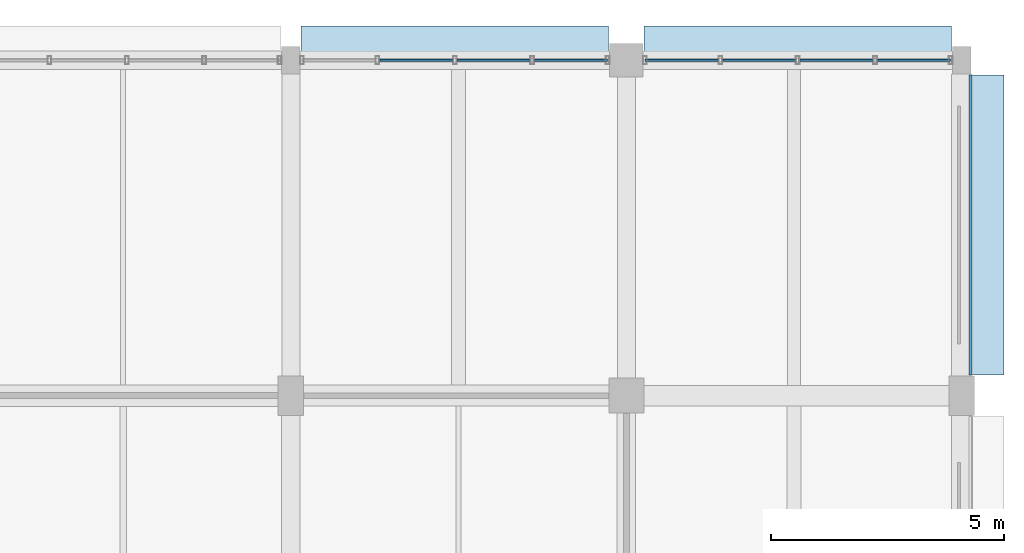
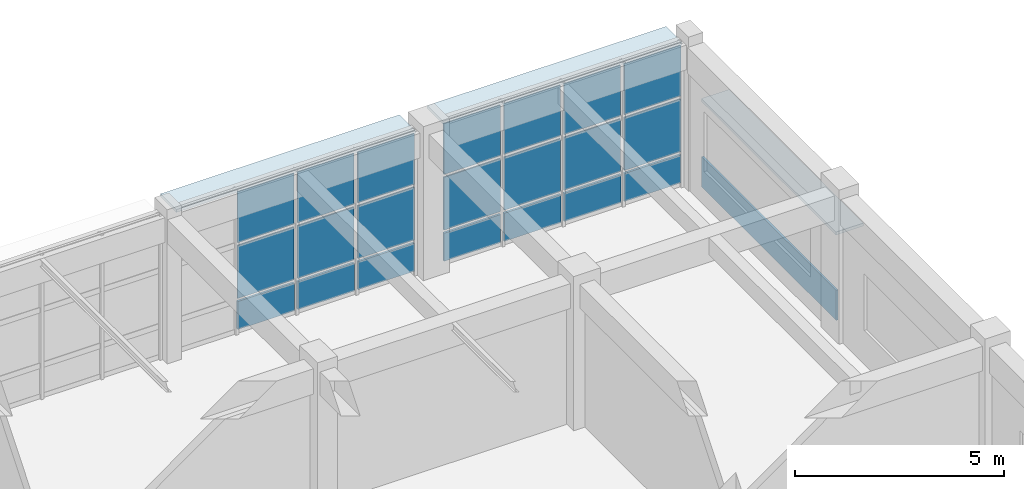
# One storey, part 146 of 171: 25 plates, 2 elements without a shape of their own.
"""IFC4 building model written with IfcOpenShell, lengths in metres."""

from ifc_helpers import new_model, si_unit, direction, frame, origin, origin_2d, place, context, subcontext, project, spatial, rectangle, extrude, material, layer, layer_set, type_object, element, aggregate, save


model = new_model("IFC4")

# Units and contexts
model_context = context("Model", 3, precision=1e-05, world=origin(), true_north=direction((0.0, 1.0)))
body_context = subcontext(model_context, "Body", "Model", "MODEL_VIEW")
ifc_project = project(units=[si_unit("LENGTHUNIT", "METRE"), si_unit("AREAUNIT", "SQUARE_METRE"), si_unit("VOLUMEUNIT", "CUBIC_METRE"), si_unit("PLANEANGLEUNIT", "RADIAN"), si_unit("MASSUNIT", "GRAM", prefix="KILO")], contexts=[model_context])

# Site, building, storey
site_placement = place(None, origin())
site = spatial("IfcSite", under=ifc_project, at=site_placement, CompositionType="ELEMENT")
building_placement = place(site_placement, origin())
building = spatial("IfcBuilding", under=site, at=building_placement, Name="Thalmaran Polytechnic", CompositionType="ELEMENT")
storey_placement = place(building_placement, frame((0.0, 0.0, 5.39990234375)))
storey = spatial("IfcBuildingStorey", under=building, at=storey_placement, Name="L01", CompositionType="ELEMENT", Elevation=5.39990234375)

# Plates
ifc_material_1 = material(Name="Anodised aluminium spandrel band", Category="aluminium")
ifc_layer_1 = layer(ifc_material_1, 0.054931640625, Name="Anodised aluminium spandrel band")
ifc_layer_set_1 = layer_set([ifc_layer_1], Name="Anodised aluminium spandrel band")
plate_type_1 = type_object("IfcPlateType", Name="PT-BD01", PredefinedType="SHEET", material=ifc_layer_set_1)
plate_1_placement = place(storey_placement, frame((172.97998046875, 118.862548828125, 0.020263671875), z_axis=(0.0, 0.0, 1.0), x_axis=(0.0, -1.0, 0.0)))
element("IfcPlate", 1, at=plate_1_placement, inside=storey, type_object=plate_type_1, Name="Streamline Horizontal Spandrel Band L01-052", PredefinedType="SHEET", context=body_context, shape_type="SweptSolid", body=[
    extrude(rectangle(XDim=6.43505859375, YDim=0.054931640625, at=origin_2d()), origin(), (0.0, 0.0, 1.0), 0.8798828125),
])
ifc_material_2 = material(Name="Anodised aluminium sun-hood eyebrow", Category="aluminium")
ifc_layer_2 = layer(ifc_material_2, 0.0849609375, Name="Anodised aluminium sun-hood eyebrow")
ifc_layer_set_2 = layer_set([ifc_layer_2], Name="Anodised aluminium sun-hood eyebrow")
plate_type_2 = type_object("IfcPlateType", Name="PT-EB01", PredefinedType="SHEET", material=ifc_layer_set_2)
for number, where, z_axis, x_axis, name in (
    (2, (161.919921875, 122.760009765625, 4.107666015625), (0.0, 0.0, 1.0), (1.0, 0.0, 0.0), "Streamline Sun-Hood Eyebrow L01-CW101"),
    (3, (169.280029296875, 122.760009765625, 4.107666015625), (0.0, 0.0, 1.0), (1.0, 0.0, 0.0), "Streamline Sun-Hood Eyebrow L01-CW102"),
):
    element("IfcPlate", number, at=place(storey_placement, frame(where, z_axis=z_axis, x_axis=x_axis)), inside=storey, type_object=plate_type_2, Name=name, PredefinedType="SHEET", context=body_context, shape_type="SweptSolid", body=[
        extrude(rectangle(XDim=6.60009765625, YDim=0.760009765625, at=origin_2d()), origin(), (0.0, 0.0, 1.0), 0.0849609375),
    ])
plate_2_placement = place(storey_placement, frame((173.324951171875, 118.862548828125, 2.517578125), z_axis=(0.0, 0.0, 1.0), x_axis=(0.0, -1.0, 0.0)))
element("IfcPlate", 4, at=plate_2_placement, inside=storey, type_object=plate_type_2, Name="Streamline Sun-Hood Eyebrow L01-052", PredefinedType="SHEET", context=body_context, shape_type="SweptSolid", body=[
    extrude(rectangle(XDim=6.43505859375, YDim=0.760009765625, at=origin_2d()), origin(), (0.0, 0.0, 1.0), 0.0849609375),
])

# Curtain wall, plates
ifc_material_3 = material(Name="Aluminium 6063-T6", Category="aluminium")
curtain_wall_type = type_object("IfcCurtainWallType", Name="CW-UC02", PredefinedType="USERDEFINED", material=ifc_material_3)
curtain_wall_1_placement = place(storey_placement, origin())
curtain_wall_1 = element("IfcCurtainWall", 5, at=curtain_wall_1_placement, inside=storey, type_object=curtain_wall_type, Name="Curtain Wall CW-L01-101", ObjectType="UNITISED CURTAIN WALL", PredefinedType="USERDEFINED")
ifc_material_4 = material(Name="Solar-control double low-E glass", Category="glass")
ifc_layer_3 = layer(ifc_material_4, 0.035888671875, Name="Solar-control double low-E glass")
ifc_layer_set_3 = layer_set([ifc_layer_3], Name="Solar-control double low-E glass")
plate_type_3 = type_object("IfcPlateType", Name="PT-GL02", PredefinedType="CURTAIN_PANEL", material=ifc_layer_set_3)
plate_3_placement = place(storey_placement, frame((161.090087890625, 122.39990234375, 1.000244140625), z_axis=(0.0, 0.0, 1.0), x_axis=(1.0, 0.0, 0.0)))
plate_3 = element("IfcPlate", 6, at=plate_3_placement, type_object=plate_type_3, Name="CW-L01-101 Vision Panel 2-2", PredefinedType="CURTAIN_PANEL", context=body_context, shape_type="SweptSolid", body=[
    extrude(rectangle(XDim=1.56005859375, YDim=0.035888671875, at=origin_2d()), origin(), (0.0, 0.0, 1.0), 1.544921875),
])
plate_4_placement = place(storey_placement, frame((161.090087890625, 122.39990234375, 2.625), z_axis=(0.0, 0.0, 1.0), x_axis=(1.0, 0.0, 0.0)))
plate_4 = element("IfcPlate", 7, at=plate_4_placement, type_object=plate_type_3, Name="CW-L01-101 Vision Panel 2-3", PredefinedType="CURTAIN_PANEL", context=body_context, shape_type="SweptSolid", body=[
    extrude(rectangle(XDim=1.56005859375, YDim=0.035888671875, at=origin_2d()), origin(), (0.0, 0.0, 1.0), 1.485107421875),
])
plate_5_placement = place(storey_placement, frame((162.75, 122.39990234375, 1.000244140625), z_axis=(0.0, 0.0, 1.0), x_axis=(1.0, 0.0, 0.0)))
plate_5 = element("IfcPlate", 8, at=plate_5_placement, type_object=plate_type_3, Name="CW-L01-101 Vision Panel 3-2", PredefinedType="CURTAIN_PANEL", context=body_context, shape_type="SweptSolid", body=[
    extrude(rectangle(XDim=1.56005859375, YDim=0.035888671875, at=origin_2d()), origin(), (0.0, 0.0, 1.0), 1.544921875),
])
plate_6_placement = place(storey_placement, frame((162.75, 122.39990234375, 2.625), z_axis=(0.0, 0.0, 1.0), x_axis=(1.0, 0.0, 0.0)))
plate_6 = element("IfcPlate", 9, at=plate_6_placement, type_object=plate_type_3, Name="CW-L01-101 Vision Panel 3-3", PredefinedType="CURTAIN_PANEL", context=body_context, shape_type="SweptSolid", body=[
    extrude(rectangle(XDim=1.56005859375, YDim=0.035888671875, at=origin_2d()), origin(), (0.0, 0.0, 1.0), 1.485107421875),
])
plate_7_placement = place(storey_placement, frame((164.409912109375, 122.39990234375, 1.000244140625), z_axis=(0.0, 0.0, 1.0), x_axis=(1.0, 0.0, 0.0)))
plate_7 = element("IfcPlate", 10, at=plate_7_placement, type_object=plate_type_3, Name="CW-L01-101 Vision Panel 4-2", PredefinedType="CURTAIN_PANEL", context=body_context, shape_type="SweptSolid", body=[
    extrude(rectangle(XDim=1.56005859375, YDim=0.035888671875, at=origin_2d()), origin(), (0.0, 0.0, 1.0), 1.544921875),
])
plate_8_placement = place(storey_placement, frame((164.409912109375, 122.39990234375, 2.625), z_axis=(0.0, 0.0, 1.0), x_axis=(1.0, 0.0, 0.0)))
plate_8 = element("IfcPlate", 11, at=plate_8_placement, type_object=plate_type_3, Name="CW-L01-101 Vision Panel 4-3", PredefinedType="CURTAIN_PANEL", context=body_context, shape_type="SweptSolid", body=[
    extrude(rectangle(XDim=1.56005859375, YDim=0.035888671875, at=origin_2d()), origin(), (0.0, 0.0, 1.0), 1.485107421875),
])

curtain_wall_2_placement = place(storey_placement, origin())
curtain_wall_2 = element("IfcCurtainWall", 12, at=curtain_wall_2_placement, inside=storey, type_object=curtain_wall_type, Name="Curtain Wall CW-L01-102", ObjectType="UNITISED CURTAIN WALL", PredefinedType="USERDEFINED")
ifc_layer_4 = layer(ifc_material_4, 0.035888671875, Name="Solar-control double low-E glass")
ifc_layer_set_4 = layer_set([ifc_layer_4], Name="Solar-control double low-E glass")
plate_type_4 = type_object("IfcPlateType", Name="PT-GL03", PredefinedType="CURTAIN_PANEL", material=ifc_layer_set_4)
plate_9_placement = place(storey_placement, frame((166.7900390625, 122.39990234375, 1.000244140625), z_axis=(0.0, 0.0, 1.0), x_axis=(1.0, 0.0, 0.0)))
plate_9 = element("IfcPlate", 13, at=plate_9_placement, type_object=plate_type_4, Name="CW-L01-102 Vision Panel 1-2", PredefinedType="CURTAIN_PANEL", context=body_context, shape_type="SweptSolid", body=[
    extrude(rectangle(XDim=1.56005859375, YDim=0.035888671875, at=origin_2d()), origin(), (0.0, 0.0, 1.0), 1.544921875),
])
plate_10_placement = place(storey_placement, frame((166.7900390625, 122.39990234375, 2.625), z_axis=(0.0, 0.0, 1.0), x_axis=(1.0, 0.0, 0.0)))
plate_10 = element("IfcPlate", 14, at=plate_10_placement, type_object=plate_type_4, Name="CW-L01-102 Vision Panel 1-3", PredefinedType="CURTAIN_PANEL", context=body_context, shape_type="SweptSolid", body=[
    extrude(rectangle(XDim=1.56005859375, YDim=0.035888671875, at=origin_2d()), origin(), (0.0, 0.0, 1.0), 1.485107421875),
])
plate_11_placement = place(storey_placement, frame((168.449951171875, 122.39990234375, 1.000244140625), z_axis=(0.0, 0.0, 1.0), x_axis=(1.0, 0.0, 0.0)))
plate_11 = element("IfcPlate", 15, at=plate_11_placement, type_object=plate_type_4, Name="CW-L01-102 Vision Panel 2-2", PredefinedType="CURTAIN_PANEL", context=body_context, shape_type="SweptSolid", body=[
    extrude(rectangle(XDim=1.56005859375, YDim=0.035888671875, at=origin_2d()), origin(), (0.0, 0.0, 1.0), 1.544921875),
])
plate_12_placement = place(storey_placement, frame((168.449951171875, 122.39990234375, 2.625), z_axis=(0.0, 0.0, 1.0), x_axis=(1.0, 0.0, 0.0)))
plate_12 = element("IfcPlate", 16, at=plate_12_placement, type_object=plate_type_4, Name="CW-L01-102 Vision Panel 2-3", PredefinedType="CURTAIN_PANEL", context=body_context, shape_type="SweptSolid", body=[
    extrude(rectangle(XDim=1.56005859375, YDim=0.035888671875, at=origin_2d()), origin(), (0.0, 0.0, 1.0), 1.485107421875),
])
plate_13_placement = place(storey_placement, frame((170.110107421875, 122.39990234375, 1.000244140625), z_axis=(0.0, 0.0, 1.0), x_axis=(1.0, 0.0, 0.0)))
plate_13 = element("IfcPlate", 17, at=plate_13_placement, type_object=plate_type_4, Name="CW-L01-102 Vision Panel 3-2", PredefinedType="CURTAIN_PANEL", context=body_context, shape_type="SweptSolid", body=[
    extrude(rectangle(XDim=1.56005859375, YDim=0.035888671875, at=origin_2d()), origin(), (0.0, 0.0, 1.0), 1.544921875),
])
plate_14_placement = place(storey_placement, frame((170.110107421875, 122.39990234375, 2.625), z_axis=(0.0, 0.0, 1.0), x_axis=(1.0, 0.0, 0.0)))
plate_14 = element("IfcPlate", 18, at=plate_14_placement, type_object=plate_type_4, Name="CW-L01-102 Vision Panel 3-3", PredefinedType="CURTAIN_PANEL", context=body_context, shape_type="SweptSolid", body=[
    extrude(rectangle(XDim=1.56005859375, YDim=0.035888671875, at=origin_2d()), origin(), (0.0, 0.0, 1.0), 1.485107421875),
])
plate_15_placement = place(storey_placement, frame((171.77001953125, 122.39990234375, 1.000244140625), z_axis=(0.0, 0.0, 1.0), x_axis=(1.0, 0.0, 0.0)))
plate_15 = element("IfcPlate", 19, at=plate_15_placement, type_object=plate_type_4, Name="CW-L01-102 Vision Panel 4-2", PredefinedType="CURTAIN_PANEL", context=body_context, shape_type="SweptSolid", body=[
    extrude(rectangle(XDim=1.56005859375, YDim=0.035888671875, at=origin_2d()), origin(), (0.0, 0.0, 1.0), 1.544921875),
])
plate_16_placement = place(storey_placement, frame((171.77001953125, 122.39990234375, 2.625), z_axis=(0.0, 0.0, 1.0), x_axis=(1.0, 0.0, 0.0)))
plate_16 = element("IfcPlate", 20, at=plate_16_placement, type_object=plate_type_4, Name="CW-L01-102 Vision Panel 4-3", PredefinedType="CURTAIN_PANEL", context=body_context, shape_type="SweptSolid", body=[
    extrude(rectangle(XDim=1.56005859375, YDim=0.035888671875, at=origin_2d()), origin(), (0.0, 0.0, 1.0), 1.485107421875),
])
ifc_material_5 = material(Name="Insulated anodised aluminium spandrel", Category="aluminium")
ifc_layer_5 = layer(ifc_material_5, 0.06005859375, Name="Insulated anodised aluminium spandrel")
ifc_layer_set_5 = layer_set([ifc_layer_5], Name="Insulated anodised aluminium spandrel")
plate_type_5 = type_object("IfcPlateType", Name="PT-SP01", PredefinedType="CURTAIN_PANEL", material=ifc_layer_set_5)
plate_17_placement = place(storey_placement, frame((166.7900390625, 122.39990234375, 0.10009765625), z_axis=(0.0, 0.0, 1.0), x_axis=(1.0, 0.0, 0.0)))
plate_17 = element("IfcPlate", 21, at=plate_17_placement, type_object=plate_type_5, Name="CW-L01-102 Spandrel Panel 1-1", PredefinedType="CURTAIN_PANEL", context=body_context, shape_type="SweptSolid", body=[
    extrude(rectangle(XDim=1.56005859375, YDim=0.06005859375, at=origin_2d()), origin(), (0.0, 0.0, 1.0), 0.820068359375),
])
plate_18_placement = place(storey_placement, frame((168.449951171875, 122.39990234375, 0.10009765625), z_axis=(0.0, 0.0, 1.0), x_axis=(1.0, 0.0, 0.0)))
plate_18 = element("IfcPlate", 22, at=plate_18_placement, type_object=plate_type_5, Name="CW-L01-102 Spandrel Panel 2-1", PredefinedType="CURTAIN_PANEL", context=body_context, shape_type="SweptSolid", body=[
    extrude(rectangle(XDim=1.56005859375, YDim=0.06005859375, at=origin_2d()), origin(), (0.0, 0.0, 1.0), 0.820068359375),
])
plate_19_placement = place(storey_placement, frame((170.110107421875, 122.39990234375, 0.10009765625), z_axis=(0.0, 0.0, 1.0), x_axis=(1.0, 0.0, 0.0)))
plate_19 = element("IfcPlate", 23, at=plate_19_placement, type_object=plate_type_5, Name="CW-L01-102 Spandrel Panel 3-1", PredefinedType="CURTAIN_PANEL", context=body_context, shape_type="SweptSolid", body=[
    extrude(rectangle(XDim=1.56005859375, YDim=0.06005859375, at=origin_2d()), origin(), (0.0, 0.0, 1.0), 0.820068359375),
])
plate_20_placement = place(storey_placement, frame((171.77001953125, 122.39990234375, 0.10009765625), z_axis=(0.0, 0.0, 1.0), x_axis=(1.0, 0.0, 0.0)))
plate_20 = element("IfcPlate", 24, at=plate_20_placement, type_object=plate_type_5, Name="CW-L01-102 Spandrel Panel 4-1", PredefinedType="CURTAIN_PANEL", context=body_context, shape_type="SweptSolid", body=[
    extrude(rectangle(XDim=1.56005859375, YDim=0.06005859375, at=origin_2d()), origin(), (0.0, 0.0, 1.0), 0.820068359375),
])
aggregate(curtain_wall_2, [plate_17, plate_9, plate_10, plate_18, plate_11, plate_12, plate_19, plate_13, plate_14, plate_20, plate_15, plate_16])

# Plate
ifc_layer_6 = layer(ifc_material_5, 0.06005859375, Name="Insulated anodised aluminium spandrel")
ifc_layer_set_6 = layer_set([ifc_layer_6], Name="Insulated anodised aluminium spandrel")
plate_type_6 = type_object("IfcPlateType", Name="PT-SP03", PredefinedType="CURTAIN_PANEL", material=ifc_layer_set_6)
plate_21_placement = place(storey_placement, frame((161.090087890625, 122.39990234375, 0.10009765625), z_axis=(0.0, 0.0, 1.0), x_axis=(1.0, 0.0, 0.0)))
plate_21 = element("IfcPlate", 25, at=plate_21_placement, type_object=plate_type_6, Name="CW-L01-101 Spandrel Panel 2-1", PredefinedType="CURTAIN_PANEL", context=body_context, shape_type="SweptSolid", body=[
    extrude(rectangle(XDim=1.56005859375, YDim=0.06005859375, at=origin_2d()), origin(), (0.0, 0.0, 1.0), 0.820068359375),
])

plate_22_placement = place(storey_placement, frame((162.75, 122.39990234375, 0.10009765625), z_axis=(0.0, 0.0, 1.0), x_axis=(1.0, 0.0, 0.0)))
plate_22 = element("IfcPlate", 26, at=plate_22_placement, type_object=plate_type_6, Name="CW-L01-101 Spandrel Panel 3-1", PredefinedType="CURTAIN_PANEL", context=body_context, shape_type="SweptSolid", body=[
    extrude(rectangle(XDim=1.56005859375, YDim=0.06005859375, at=origin_2d()), origin(), (0.0, 0.0, 1.0), 0.820068359375),
])

plate_23_placement = place(storey_placement, frame((164.409912109375, 122.39990234375, 0.10009765625), z_axis=(0.0, 0.0, 1.0), x_axis=(1.0, 0.0, 0.0)))
plate_23 = element("IfcPlate", 27, at=plate_23_placement, type_object=plate_type_6, Name="CW-L01-101 Spandrel Panel 4-1", PredefinedType="CURTAIN_PANEL", context=body_context, shape_type="SweptSolid", body=[
    extrude(rectangle(XDim=1.56005859375, YDim=0.06005859375, at=origin_2d()), origin(), (0.0, 0.0, 1.0), 0.820068359375),
])

aggregate(curtain_wall_1, [plate_21, plate_3, plate_4, plate_22, plate_5, plate_6, plate_23, plate_7, plate_8])

save(model, "model.ifc")
